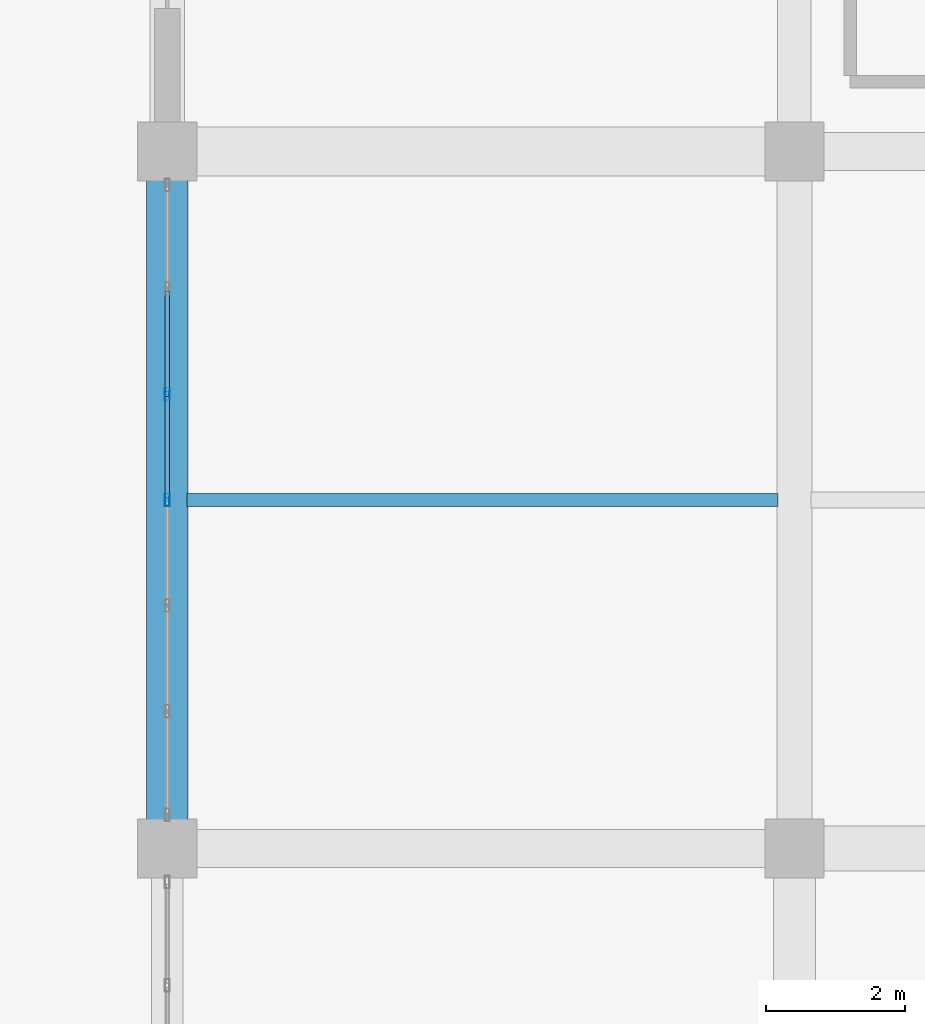
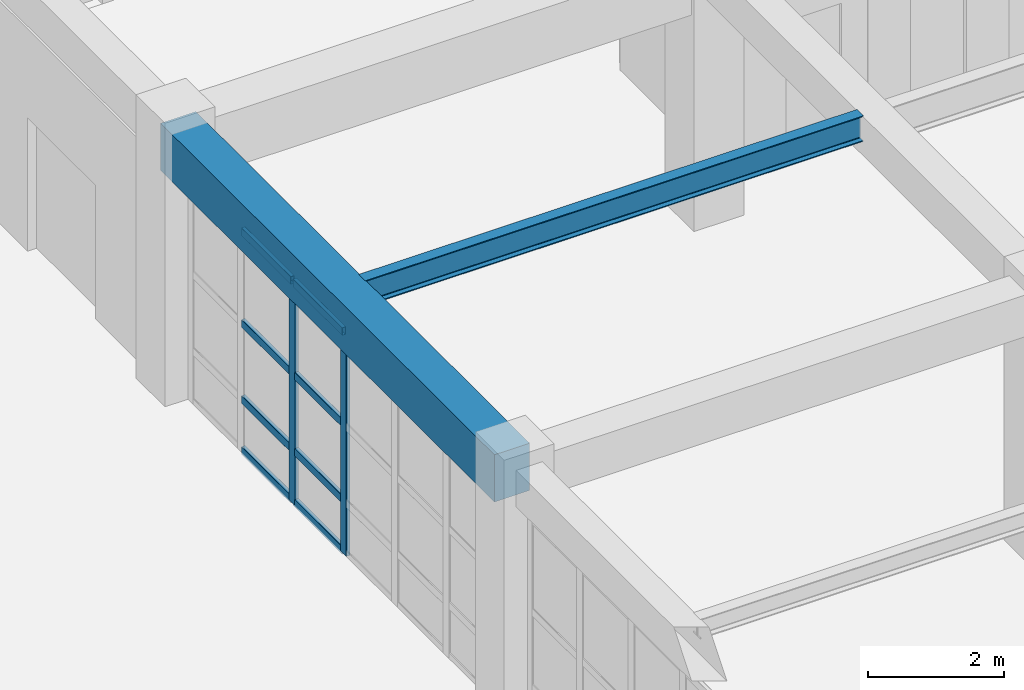
# One storey, part 40 of 128: 10 members, 2 beams, 1 element without a shape of its own.
"""IFC4 building model written with IfcOpenShell, lengths in metres."""

from ifc_helpers import new_model, si_unit, direction, frame, origin, origin_2d, place, context, subcontext, project, spatial, rectangle, hollow_rectangle, i_section, extrude, material, material_profile, profile_set, type_object, element, aggregate, save


model = new_model("IFC4")

# Units and contexts
model_context = context("Model", 3, precision=1e-05, world=origin(), true_north=direction((0.0, 1.0)))
body_context = subcontext(model_context, "Body", "Model", "MODEL_VIEW")
ifc_project = project(units=[si_unit("LENGTHUNIT", "METRE"), si_unit("AREAUNIT", "SQUARE_METRE"), si_unit("VOLUMEUNIT", "CUBIC_METRE"), si_unit("PLANEANGLEUNIT", "RADIAN"), si_unit("MASSUNIT", "GRAM", prefix="KILO")], contexts=[model_context])

# Site, building, storey
site_placement = place(None, origin())
site = spatial("IfcSite", under=ifc_project, at=site_placement, CompositionType="ELEMENT")
building_placement = place(site_placement, origin())
building = spatial("IfcBuilding", under=site, at=building_placement, Name="Miravela Opera House", CompositionType="ELEMENT")
storey_placement = place(building_placement, origin())
storey = spatial("IfcBuildingStorey", under=building, at=storey_placement, Name="L00", CompositionType="ELEMENT", Elevation=0.0)

# Curtain wall, members
ifc_material_1 = material(Name="Anodised architectural bronze aluminium 6063-T6", Category="aluminium")
curtain_wall_type = type_object("IfcCurtainWallType", Name="ARC-CW-01", PredefinedType="NOTDEFINED", material=ifc_material_1)
curtain_wall_placement = place(storey_placement, origin())
curtain_wall = element("IfcCurtainWall", 1, at=curtain_wall_placement, inside=storey, type_object=curtain_wall_type, Name="West Foyer Recessed Glazing North CW-L00-002", PredefinedType="NOTDEFINED")
ifc_material_profile_1 = material_profile(ifc_material_1, hollow_rectangle(XDim=0.06494140625, YDim=0.179931640625, WallThickness=0.00390625, InnerFilletRadius=0.001953125, OuterFilletRadius=0.00390625, at=origin_2d()), Name="CWM-65X180")
ifc_profile_set_1 = profile_set([ifc_material_profile_1])
member_type_1 = type_object("IfcMemberType", Name="ARC-CWM-180", PredefinedType="MULLION", material=ifc_profile_set_1)
member_1_placement = place(storey_placement, frame((27.0, 61.0, 0.0), z_axis=(0.0, 0.0, 1.0), x_axis=(-1.0, 0.0, 0.0)))
member_1 = element("IfcMember", 2, at=member_1_placement, type_object=member_type_1, Name="CW-01 mullion 4", PredefinedType="MULLION", context=body_context, shape_type="SweptSolid", body=[
    extrude(hollow_rectangle(XDim=0.06494140625, YDim=0.179931640625, WallThickness=0.00390625, InnerFilletRadius=0.001953125, OuterFilletRadius=0.00390625, at=origin_2d()), origin(), (0.0, 0.0, 1.0), 4.0),
])
member_2_placement = place(storey_placement, frame((27.0, 62.5166015625, 0.0), z_axis=(0.0, 0.0, 1.0), x_axis=(-1.0, 0.0, 0.0)))
member_2 = element("IfcMember", 3, at=member_2_placement, type_object=member_type_1, Name="CW-01 mullion 5", PredefinedType="MULLION", context=body_context, shape_type="SweptSolid", body=[
    extrude(hollow_rectangle(XDim=0.06494140625, YDim=0.179931640625, WallThickness=0.00390625, InnerFilletRadius=0.001953125, OuterFilletRadius=0.00390625, at=origin_2d()), origin(), (0.0, 0.0, 1.0), 4.0),
])
ifc_material_profile_2 = material_profile(ifc_material_1, hollow_rectangle(XDim=0.06494140625, YDim=0.139892578125, WallThickness=0.00390625, InnerFilletRadius=0.001953125, OuterFilletRadius=0.00390625, at=origin_2d()), Name="CWT-65X140")
ifc_profile_set_2 = profile_set([ifc_material_profile_2])
member_type_2 = type_object("IfcMemberType", Name="ARC-CWT-140", PredefinedType="USERDEFINED", material=ifc_profile_set_2)
member_3_placement = place(storey_placement, frame((27.0, 61.032470703125, 0.032470703125), z_axis=(0.0, 1.0, 0.0), x_axis=(-1.0, 0.0, 0.0)))
member_3 = element("IfcMember", 4, at=member_3_placement, type_object=member_type_2, Name="CW-01 transom 4.1", ObjectType="TRANSOM", PredefinedType="USERDEFINED", context=body_context, shape_type="SweptSolid", body=[
    extrude(hollow_rectangle(XDim=0.06494140625, YDim=0.139892578125, WallThickness=0.00390625, InnerFilletRadius=0.001953125, OuterFilletRadius=0.00390625, at=origin_2d()), origin(), (0.0, 0.0, 1.0), 1.45166015625),
])
member_4_placement = place(storey_placement, frame((27.0, 61.032470703125, 0.949951171875), z_axis=(0.0, 1.0, 0.0), x_axis=(-1.0, 0.0, 0.0)))
member_4 = element("IfcMember", 5, at=member_4_placement, type_object=member_type_2, Name="CW-01 transom 4.2", ObjectType="TRANSOM", PredefinedType="USERDEFINED", context=body_context, shape_type="SweptSolid", body=[
    extrude(hollow_rectangle(XDim=0.06494140625, YDim=0.139892578125, WallThickness=0.00390625, InnerFilletRadius=0.001953125, OuterFilletRadius=0.00390625, at=origin_2d()), origin(), (0.0, 0.0, 1.0), 1.45166015625),
])
member_5_placement = place(storey_placement, frame((27.0, 61.032470703125, 2.320068359375), z_axis=(0.0, 1.0, 0.0), x_axis=(-1.0, 0.0, 0.0)))
member_5 = element("IfcMember", 6, at=member_5_placement, type_object=member_type_2, Name="CW-01 transom 4.3", ObjectType="TRANSOM", PredefinedType="USERDEFINED", context=body_context, shape_type="SweptSolid", body=[
    extrude(hollow_rectangle(XDim=0.06494140625, YDim=0.139892578125, WallThickness=0.00390625, InnerFilletRadius=0.001953125, OuterFilletRadius=0.00390625, at=origin_2d()), origin(), (0.0, 0.0, 1.0), 1.45166015625),
])
member_6_placement = place(storey_placement, frame((27.0, 61.032470703125, 3.967529296875), z_axis=(0.0, 1.0, 0.0), x_axis=(-1.0, 0.0, 0.0)))
member_6 = element("IfcMember", 7, at=member_6_placement, type_object=member_type_2, Name="CW-01 transom 4.4", ObjectType="TRANSOM", PredefinedType="USERDEFINED", context=body_context, shape_type="SweptSolid", body=[
    extrude(hollow_rectangle(XDim=0.06494140625, YDim=0.139892578125, WallThickness=0.00390625, InnerFilletRadius=0.001953125, OuterFilletRadius=0.00390625, at=origin_2d()), origin(), (0.0, 0.0, 1.0), 1.45166015625),
])
member_7_placement = place(storey_placement, frame((27.0, 62.549072265625, 0.032470703125), z_axis=(0.0, 1.0, 0.0), x_axis=(-1.0, 0.0, 0.0)))
member_7 = element("IfcMember", 8, at=member_7_placement, type_object=member_type_2, Name="CW-01 transom 5.1", ObjectType="TRANSOM", PredefinedType="USERDEFINED", context=body_context, shape_type="SweptSolid", body=[
    extrude(hollow_rectangle(XDim=0.06494140625, YDim=0.139892578125, WallThickness=0.00390625, InnerFilletRadius=0.001953125, OuterFilletRadius=0.00390625, at=origin_2d()), origin(), (0.0, 0.0, 1.0), 1.45166015625),
])
member_8_placement = place(storey_placement, frame((27.0, 62.549072265625, 0.949951171875), z_axis=(0.0, 1.0, 0.0), x_axis=(-1.0, 0.0, 0.0)))
member_8 = element("IfcMember", 9, at=member_8_placement, type_object=member_type_2, Name="CW-01 transom 5.2", ObjectType="TRANSOM", PredefinedType="USERDEFINED", context=body_context, shape_type="SweptSolid", body=[
    extrude(hollow_rectangle(XDim=0.06494140625, YDim=0.139892578125, WallThickness=0.00390625, InnerFilletRadius=0.001953125, OuterFilletRadius=0.00390625, at=origin_2d()), origin(), (0.0, 0.0, 1.0), 1.45166015625),
])
member_9_placement = place(storey_placement, frame((27.0, 62.549072265625, 2.320068359375), z_axis=(0.0, 1.0, 0.0), x_axis=(-1.0, 0.0, 0.0)))
member_9 = element("IfcMember", 10, at=member_9_placement, type_object=member_type_2, Name="CW-01 transom 5.3", ObjectType="TRANSOM", PredefinedType="USERDEFINED", context=body_context, shape_type="SweptSolid", body=[
    extrude(hollow_rectangle(XDim=0.06494140625, YDim=0.139892578125, WallThickness=0.00390625, InnerFilletRadius=0.001953125, OuterFilletRadius=0.00390625, at=origin_2d()), origin(), (0.0, 0.0, 1.0), 1.45166015625),
])
member_10_placement = place(storey_placement, frame((27.0, 62.549072265625, 3.967529296875), z_axis=(0.0, 1.0, 0.0), x_axis=(-1.0, 0.0, 0.0)))
member_10 = element("IfcMember", 11, at=member_10_placement, type_object=member_type_2, Name="CW-01 transom 5.4", ObjectType="TRANSOM", PredefinedType="USERDEFINED", context=body_context, shape_type="SweptSolid", body=[
    extrude(hollow_rectangle(XDim=0.06494140625, YDim=0.139892578125, WallThickness=0.00390625, InnerFilletRadius=0.001953125, OuterFilletRadius=0.00390625, at=origin_2d()), origin(), (0.0, 0.0, 1.0), 1.45166015625),
])
aggregate(curtain_wall, [member_1, member_2, member_3, member_4, member_5, member_6, member_7, member_8, member_9, member_10])

# Beams
ifc_material_2 = material(Name="Concrete C40/50", Category="concrete")
ifc_material_profile_3 = material_profile(ifc_material_2, rectangle(XDim=0.60009765625, YDim=0.85009765625, at=origin_2d()), Name="RC-BM-600X850")
ifc_profile_set_3 = profile_set([ifc_material_profile_3])
beam_type_1 = type_object("IfcBeamType", Name="STR-BM-RC600X850", PredefinedType="BEAM", material=ifc_profile_set_3)
beam_1_placement = place(storey_placement, frame((27.0, 56.080078125, 4.425048828125), z_axis=(0.0, 1.0, 0.0), x_axis=(-1.0, 0.0, 0.0)))
element("IfcBeam", 12, at=beam_1_placement, inside=storey, type_object=beam_type_1, Name="Floor Girder L00 4/G-H", PredefinedType="BEAM", context=body_context, shape_type="SweptSolid", body=[
    extrude(rectangle(XDim=0.60009765625, YDim=0.85009765625, at=origin_2d()), origin(), (0.0, 0.0, 1.0), 9.83984375),
])
ifc_material_3 = material(Name="Structural steel ASTM A992 Gr. 50", Category="steel")
ifc_material_profile_4 = material_profile(ifc_material_3, i_section(OverallWidth=0.19091796875, OverallDepth=0.4599609375, WebThickness=0.010009765625, FlangeThickness=0.01611328125, FilletRadius=0.014892578125, at=origin_2d()), Name="W460X82")
ifc_profile_set_4 = profile_set([ifc_material_profile_4])
beam_type_2 = type_object("IfcBeamType", Name="STR-BM-W460X82", PredefinedType="JOIST", material=ifc_profile_set_4)
beam_2_placement = place(storey_placement, frame((27.284912109375, 61.0, 4.6201171875), z_axis=(1.0, 0.0, 0.0), x_axis=(0.0, 1.0, 0.0)))
element("IfcBeam", 13, at=beam_2_placement, inside=storey, type_object=beam_type_2, Name="Secondary Floor Joist L00 4-5/G-H", PredefinedType="JOIST", context=body_context, shape_type="SweptSolid", body=[
    extrude(i_section(OverallWidth=0.19091796875, OverallDepth=0.4599609375, WebThickness=0.010009765625, FlangeThickness=0.01611328125, FilletRadius=0.014892578125, at=origin_2d()), origin(), (0.0, 0.0, 1.0), 8.47998046875),
])

save(model, "model.ifc")
